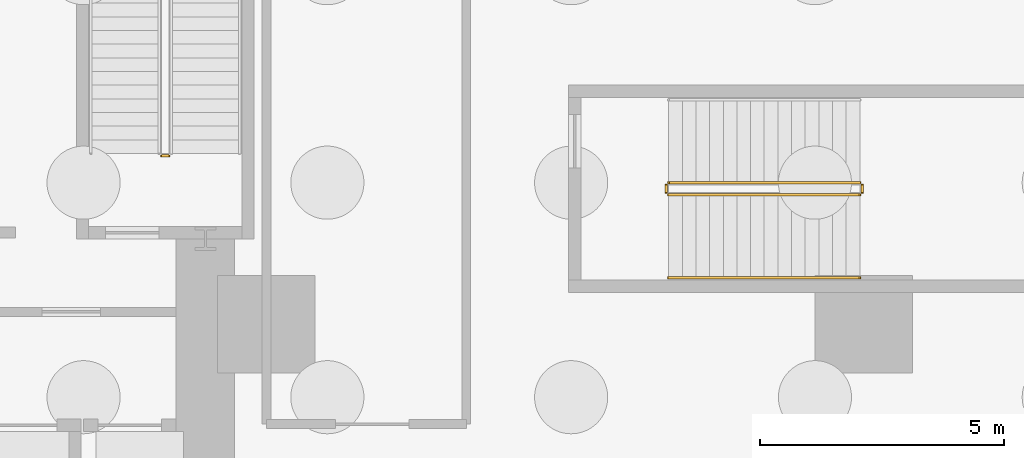
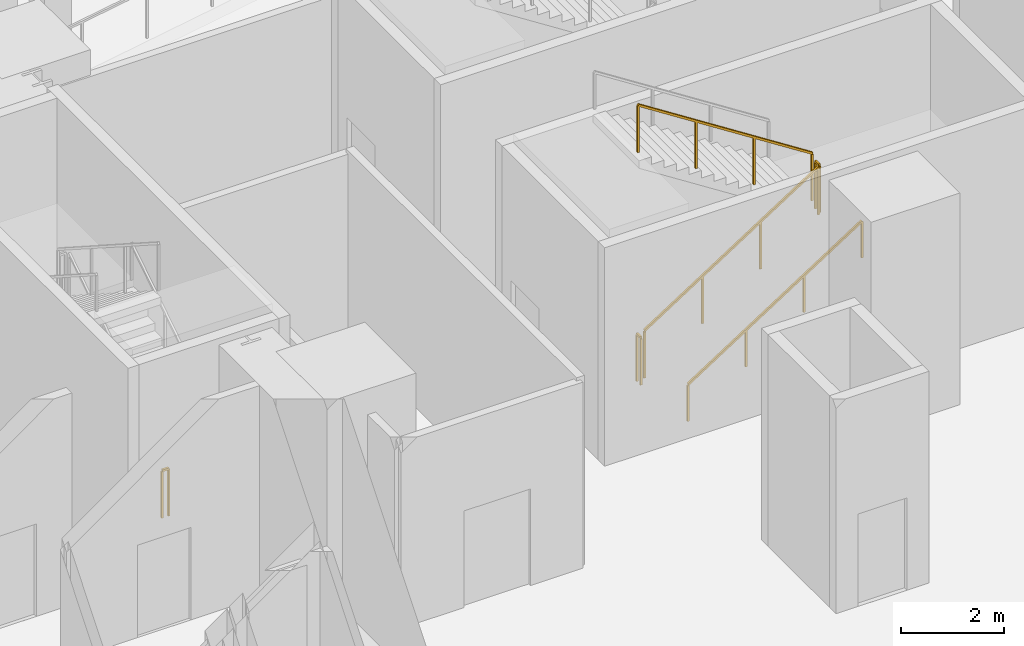
# One storey, part 9 of 14: 6 railings.
"""IFC4 building model written with IfcOpenShell, lengths in metres."""

from ifc_helpers import new_model, si_unit, direction, frame, origin, origin_2d, place, context, subcontext, project, spatial, rectangle, extrude, source, transform, mapped, material, type_object, element, save


model = new_model("IFC4")

# Units and contexts
model_context = context("Model", 3, precision=1e-05, world=origin(), true_north=direction((0.0, 1.0)))
body_context = subcontext(model_context, "Body", "Model", "MODEL_VIEW")
ifc_project = project(units=[si_unit("LENGTHUNIT", "METRE"), si_unit("AREAUNIT", "SQUARE_METRE"), si_unit("VOLUMEUNIT", "CUBIC_METRE"), si_unit("PLANEANGLEUNIT", "RADIAN"), si_unit("MASSUNIT", "GRAM", prefix="KILO")], contexts=[model_context])

# Site, building, storey
site_placement = place(None, origin())
site = spatial("IfcSite", under=ifc_project, at=site_placement, CompositionType="ELEMENT")
building_placement = place(site_placement, origin())
building = spatial("IfcBuilding", under=site, at=building_placement, Name="Vardaveli Station Tower", CompositionType="ELEMENT")
storey_placement = place(building_placement, frame((0.0, 0.0, -11.39990234375)))
storey = spatial("IfcBuildingStorey", under=building, at=storey_placement, Name="B02", CompositionType="ELEMENT", Elevation=-11.39990234375)

# Railings
ifc_material = material(Name="Brushed AISI 316 stainless steel", Category="steel")
railing_type_1 = type_object("IfcRailingType", Name="RL-GUARD-1150", PredefinedType="GUARDRAIL", material=ifc_material)
shared_shape_1 = source(origin(), body_context, "Body", "SweptSolid", [
    extrude(rectangle(XDim=0.048095703125, YDim=0.048095703125, at=origin_2d()), frame((0.0, 0.0, 1.1259765625), z_axis=(-1.0, 0.0, 0.0), x_axis=(0.0, -1.0, 0.0)), (0.0, 0.0, 1.0), 0.14990234375),
    extrude(rectangle(XDim=0.0419921875, YDim=0.0419921875, at=origin_2d()), origin(), (0.0, 0.0, 1.0), 1.101806640625),
    extrude(rectangle(XDim=0.0419921875, YDim=0.0419921875, at=origin_2d()), frame((-0.14990234375, 0.0, 0.0)), (0.0, 0.0, 1.0), 1.101806640625),
])
railing_1_placement = place(storey_placement, frame((45.75, 32.35009765625, 0.0)))
element("IfcRailing", 1, at=railing_1_placement, inside=storey, type_object=railing_type_1, Name="B02 ST-3 stair guard 4", PredefinedType="GUARDRAIL", context=body_context, shape_type="MappedRepresentation", body=[
    mapped(shared_shape_1, transform((0.0, 0.0, 0.0), scale=1.0)),
])
shared_shape_2 = source(origin(), body_context, "Body", "SweptSolid", [
    extrude(rectangle(XDim=0.048095703125, YDim=0.048095703125, at=origin_2d()), frame((0.0, 0.0, 1.1259765625), z_axis=(0.841171666519, 0.0, 0.540768182723), x_axis=(0.0, 1.0, 0.0)), (0.0, 0.0, 1.0), 4.66015625),
    extrude(rectangle(XDim=0.0419921875, YDim=0.0419921875, at=origin_2d()), origin(), (0.0, 0.0, 1.0), 1.101806640625),
    extrude(rectangle(XDim=0.0419921875, YDim=0.0419921875, at=origin_2d()), frame((1.306640625, 0.0, 0.840087890625)), (0.0, 0.0, 1.0), 1.101806640625),
    extrude(rectangle(XDim=0.0419921875, YDim=0.0419921875, at=origin_2d()), frame((2.61328125, 0.0, 1.679931640625)), (0.0, 0.0, 1.0), 1.101806640625),
    extrude(rectangle(XDim=0.0419921875, YDim=0.0419921875, at=origin_2d()), frame((3.919921875, 0.0, 2.52001953125)), (0.0, 0.0, 1.0), 1.101806640625),
])
railing_2_placement = place(storey_placement, frame((56.0, 31.550048828125, 0.179931640625)))
element("IfcRailing", 2, at=railing_2_placement, inside=storey, type_object=railing_type_1, Name="B02 ST-S2 stair guard 1", PredefinedType="GUARDRAIL", context=body_context, shape_type="MappedRepresentation", body=[
    mapped(shared_shape_2, transform((0.0, 0.0, 0.0), scale=1.0)),
])
shared_shape_3 = source(origin(), body_context, "Body", "SweptSolid", [
    extrude(rectangle(XDim=0.048095703125, YDim=0.048095703125, at=origin_2d()), frame((0.0, 0.0, 1.1259765625), z_axis=(0.0, 1.0, 0.0), x_axis=(-1.0, 0.0, 0.0)), (0.0, 0.0, 1.0), 0.14990234375),
    extrude(rectangle(XDim=0.0419921875, YDim=0.0419921875, at=origin_2d()), origin(), (0.0, 0.0, 1.0), 1.101806640625),
    extrude(rectangle(XDim=0.0419921875, YDim=0.0419921875, at=origin_2d()), frame((0.0, 0.14990234375, 0.0)), (0.0, 0.0, 1.0), 1.101806640625),
])
for number, where, name in (
    (3, (59.969970703125, 31.60009765625, 2.699951171875), "B02 ST-S2 stair guard 2"),
    (4, (55.949951171875, 31.60009765625, 0.0), "B02 ST-S2 stair guard 4"),
):
    element("IfcRailing", number, at=place(storey_placement, frame(where)), inside=storey, type_object=railing_type_1, Name=name, PredefinedType="GUARDRAIL", context=body_context, shape_type="MappedRepresentation", body=[
        mapped(shared_shape_3, transform((0.0, 0.0, 0.0), scale=1.0)),
    ])
shared_shape_4 = source(origin(), body_context, "Body", "SweptSolid", [
    extrude(rectangle(XDim=0.048095703125, YDim=0.048095703125, at=origin_2d()), frame((0.0, 0.0, 1.1259765625), z_axis=(-0.841171666519, 0.0, 0.540768182723), x_axis=(0.0, -1.0, 0.0)), (0.0, 0.0, 1.0), 4.66015625),
    extrude(rectangle(XDim=0.0419921875, YDim=0.0419921875, at=origin_2d()), origin(), (0.0, 0.0, 1.0), 1.101806640625),
    extrude(rectangle(XDim=0.0419921875, YDim=0.0419921875, at=origin_2d()), frame((-1.306640625, 0.0, 0.840087890625)), (0.0, 0.0, 1.0), 1.101806640625),
    extrude(rectangle(XDim=0.0419921875, YDim=0.0419921875, at=origin_2d()), frame((-2.61328125, 0.0, 1.679931640625)), (0.0, 0.0, 1.0), 1.101806640625),
    extrude(rectangle(XDim=0.0419921875, YDim=0.0419921875, at=origin_2d()), frame((-3.919921875, 0.0, 2.52001953125)), (0.0, 0.0, 1.0), 1.101806640625),
])
railing_3_placement = place(storey_placement, frame((59.919921875, 31.800048828125, 2.8798828125)))
element("IfcRailing", 5, at=railing_3_placement, inside=storey, type_object=railing_type_1, Name="B02 ST-S2 stair guard 3", PredefinedType="GUARDRAIL", context=body_context, shape_type="MappedRepresentation", body=[
    mapped(shared_shape_4, transform((0.0, 0.0, 0.0), scale=1.0)),
])
railing_type_2 = type_object("IfcRailingType", Name="RL-HAND-900", PredefinedType="HANDRAIL", material=ifc_material)
shared_shape_5 = source(origin(), body_context, "Body", "SweptSolid", [
    extrude(rectangle(XDim=0.048095703125, YDim=0.048095703125, at=origin_2d()), frame((0.0, 0.0, 0.8759765625), z_axis=(0.841171666519, 0.0, 0.540768182723), x_axis=(0.0, 1.0, 0.0)), (0.0, 0.0, 1.0), 4.66015625),
    extrude(rectangle(XDim=0.0419921875, YDim=0.0419921875, at=origin_2d()), origin(), (0.0, 0.0, 1.0), 0.851806640625),
    extrude(rectangle(XDim=0.0419921875, YDim=0.0419921875, at=origin_2d()), frame((1.306640625, 0.0, 0.840087890625)), (0.0, 0.0, 1.0), 0.851806640625),
    extrude(rectangle(XDim=0.0419921875, YDim=0.0419921875, at=origin_2d()), frame((2.61328125, 0.0, 1.679931640625)), (0.0, 0.0, 1.0), 0.851806640625),
    extrude(rectangle(XDim=0.0419921875, YDim=0.0419921875, at=origin_2d()), frame((3.919921875, 0.0, 2.52001953125)), (0.0, 0.0, 1.0), 0.851806640625),
])
railing_4_placement = place(storey_placement, frame((56.0, 29.85009765625, 0.179931640625)))
element("IfcRailing", 6, at=railing_4_placement, inside=storey, type_object=railing_type_2, Name="B02 ST-S2 stair handrail 1", PredefinedType="HANDRAIL", context=body_context, shape_type="MappedRepresentation", body=[
    mapped(shared_shape_5, transform((0.0, 0.0, 0.0), scale=1.0)),
])

save(model, "model.ifc")
